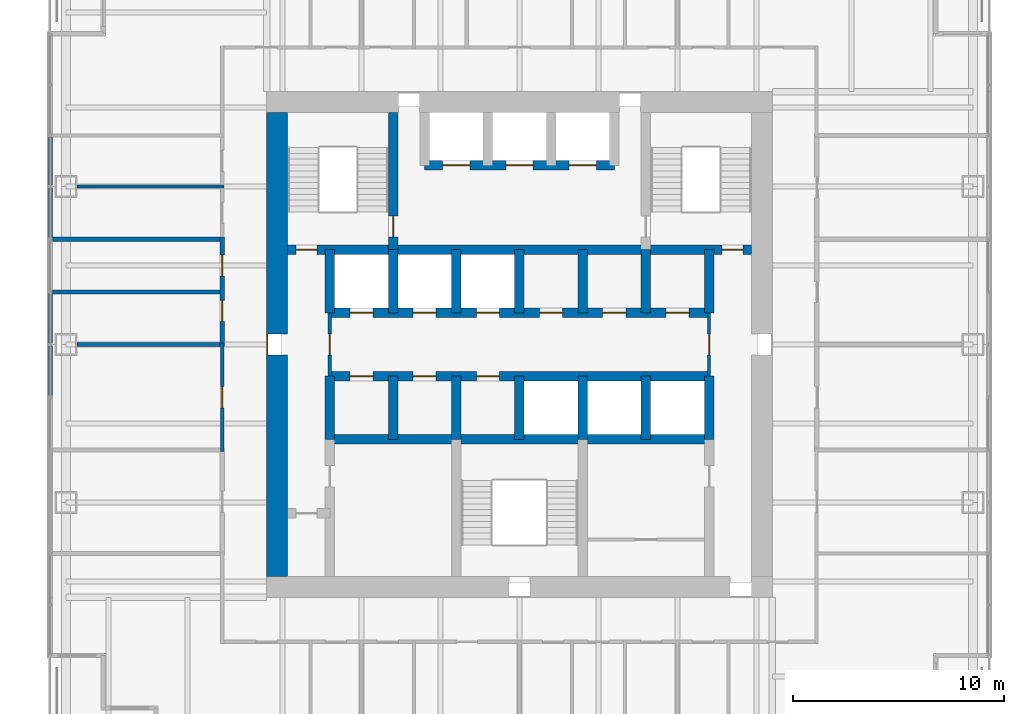
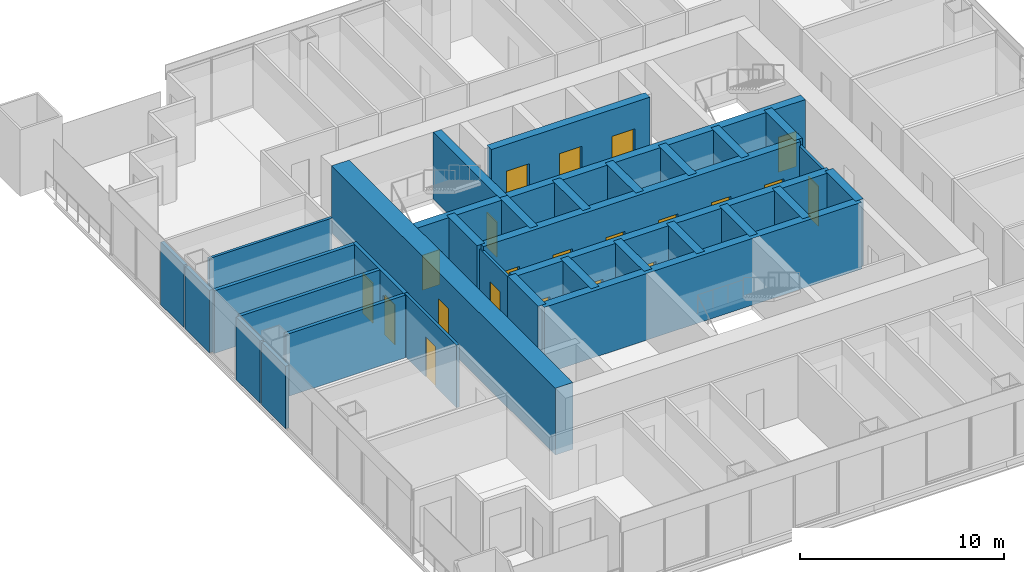
# One storey, part 9 of 14: 33 walls, 21 doors, 21 openings.
"""IFC4 building model written with IfcOpenShell, lengths in metres."""

from ifc_helpers import new_model, si_unit, direction, frame, frame_2d, origin, place, context, subcontext, project, spatial, rectangle, extrude, material, layer, layer_set, type_object, element, fill, save


model = new_model("IFC4")

# Units and contexts
model_context = context("Model", 3, precision=1e-05, world=origin(), true_north=direction((0.0, 1.0)))
body_context = subcontext(model_context, "Body", "Model", "MODEL_VIEW")
ifc_project = project(units=[si_unit("LENGTHUNIT", "METRE"), si_unit("AREAUNIT", "SQUARE_METRE"), si_unit("VOLUMEUNIT", "CUBIC_METRE"), si_unit("PLANEANGLEUNIT", "RADIAN"), si_unit("MASSUNIT", "GRAM", prefix="KILO")], contexts=[model_context])

# Site, building, storey
site_placement = place(None, origin())
site = spatial("IfcSite", under=ifc_project, at=site_placement, CompositionType="ELEMENT")
building_placement = place(site_placement, origin())
building = spatial("IfcBuilding", under=site, at=building_placement, Name="Tarangal Relay Tower", CompositionType="ELEMENT")
storey_placement = place(building_placement, frame((0.0, 0.0, 249.89990234375)))
storey = spatial("IfcBuildingStorey", under=building, at=storey_placement, Name="L54", CompositionType="ELEMENT", Elevation=249.89990234375)

# Walls
ifc_material_1 = material(Name="Two layers gypsum board each side on twin steel studs, mineral wool", Category="steel")
ifc_layer_1 = layer(ifc_material_1, 0.199951171875)
ifc_layer_set_1 = layer_set([ifc_layer_1], Name="Acoustic partition 200")
wall_type_1 = type_object("IfcWallType", Name="Acoustic partition 200", PredefinedType="PARTITIONING", material=ifc_layer_set_1)
wall_1_placement = place(storey_placement, frame((-20.989990234375, 0.0, 0.0), z_axis=(0.0, 0.0, 1.0), x_axis=(1.0, 0.0, 0.0)))
element("IfcWall", 1, at=wall_1_placement, inside=storey, type_object=wall_type_1, Name="Partition PT2 L54", PredefinedType="PARTITIONING", context=body_context, shape_type="SweptSolid", body=[
    extrude(rectangle(XDim=6.989990234375, YDim=0.199951171875, at=frame_2d((3.4951171875, 0.0))), origin(), (0.0, 0.0, 1.0), 3.75),
])
for number, where, z_axis, x_axis, name in (
    (2, (-22.14990234375, 2.5, 0.0), (0.0, 0.0, 1.0), (1.0, 0.0, 0.0), "Partition PT2 L54"),
    (3, (-22.14990234375, 5.0, 0.0), (0.0, 0.0, 1.0), (1.0, 0.0, 0.0), "Partition PT2 L54"),
):
    element("IfcWall", number, at=place(storey_placement, frame(where, z_axis=z_axis, x_axis=x_axis)), inside=storey, type_object=wall_type_1, Name=name, PredefinedType="PARTITIONING", context=body_context, shape_type="SweptSolid", body=[
        extrude(rectangle(XDim=8.14990234375, YDim=0.199951171875, at=frame_2d((4.074951171875, 0.0))), origin(), (0.0, 0.0, 1.0), 3.75),
    ])

# Wall, openings, doors
wall_2_placement = place(storey_placement, frame((-14.10009765625, -0.10009765625, 0.0), z_axis=(0.0, 0.0, 1.0), x_axis=(0.0, 1.0, 0.0)))
wall_2 = element("IfcWall", 4, at=wall_2_placement, inside=storey, type_object=wall_type_1, Name="Partition PT2 L54", PredefinedType="PARTITIONING", context=body_context, shape_type="SweptSolid", body=[
    extrude(rectangle(XDim=5.2001953125, YDim=0.199951171875, at=frame_2d((2.60009765625, 0.0))), origin(), (0.0, 0.0, 1.0), 3.75),
])
opening_1_placement = place(wall_2_placement, frame((1.199951171875, 0.0, 0.0)))
opening_1 = element("IfcOpeningElement", 5, at=opening_1_placement, cuts=wall_2, Name="Opening SD1", PredefinedType="OPENING", context=body_context, shape_type="SweptSolid", body=[
    extrude(rectangle(XDim=1.0, YDim=2.39990234375, at=frame_2d((0.5, 1.199951171875))), frame((0.0, 0.10986328125, 0.0), z_axis=(0.0, -1.0, 0.0), x_axis=(1.0, 0.0, 0.0)), (0.0, 0.0, 1.0), 0.219970703125),
])
opening_2_placement = place(wall_2_placement, frame((3.35009765625, 0.0, 0.0)))
opening_2 = element("IfcOpeningElement", 6, at=opening_2_placement, cuts=wall_2, Name="Opening SD1", PredefinedType="OPENING", context=body_context, shape_type="SweptSolid", body=[
    extrude(rectangle(XDim=1.0, YDim=2.39990234375, at=frame_2d((0.5, 1.199951171875))), frame((0.0, 0.10986328125, 0.0), z_axis=(0.0, -1.0, 0.0), x_axis=(1.0, 0.0, 0.0)), (0.0, 0.0, 1.0), 0.219970703125),
])
ifc_material_2 = material(Name="Steel door with hardwood frame", Category="steel")
door_type_1 = type_object("IfcDoorType", Name="Suite entrance door 1000 x 2400", OperationType="SINGLE_SWING_RIGHT", PredefinedType="DOOR", material=ifc_material_2)
door_1_placement = place(opening_1_placement, origin())
door_1 = element("IfcDoor", 7, at=door_1_placement, inside=storey, type_object=door_type_1, Name="Door SD1 to wellness room L54-22", OperationType="SINGLE_SWING_RIGHT", OverallHeight=2.39990234375, OverallWidth=1.0, PredefinedType="DOOR", context=body_context, shape_type="SweptSolid", body=[
    extrude(rectangle(XDim=1.0, YDim=2.39990234375, at=frame_2d((0.5, 1.199951171875))), frame((0.0, 0.02490234375, 0.0), z_axis=(0.0, -1.0, 0.0), x_axis=(1.0, 0.0, 0.0)), (0.0, 0.0, 1.0), 0.050048828125),
])
fill(opening_1, door_1)
door_2_placement = place(opening_2_placement, origin())
door_2 = element("IfcDoor", 8, at=door_2_placement, inside=storey, type_object=door_type_1, Name="Door SD1 to quiet room L54-23", OperationType="SINGLE_SWING_RIGHT", OverallHeight=2.39990234375, OverallWidth=1.0, PredefinedType="DOOR", context=body_context, shape_type="SweptSolid", body=[
    extrude(rectangle(XDim=1.0, YDim=2.39990234375, at=frame_2d((0.5, 1.199951171875))), frame((0.0, 0.02490234375, 0.0), z_axis=(0.0, -1.0, 0.0), x_axis=(1.0, 0.0, 0.0)), (0.0, 0.0, 1.0), 0.050048828125),
])
fill(opening_2, door_2)

ifc_material_3 = material(Name="Concrete fc' 60 MPa", Category="concrete")
ifc_layer_2 = layer(ifc_material_3, 0.449951171875)
ifc_layer_set_2 = layer_set([ifc_layer_2], Name="Core inner wall 450")
wall_type_2 = type_object("IfcWallType", Name="Core inner wall 450", PredefinedType="SHEAR", material=ifc_layer_set_2)
wall_3_placement = place(storey_placement, frame((-11.0, 4.5, 0.0), z_axis=(0.0, 0.0, 1.0), x_axis=(1.0, 0.0, 0.0)))
wall_3 = element("IfcWall", 9, at=wall_3_placement, inside=storey, type_object=wall_type_2, Name="Core wall Y45 L54", PredefinedType="SHEAR", context=body_context, shape_type="SweptSolid", body=[
    extrude(rectangle(XDim=22.0, YDim=0.449951171875, at=frame_2d((11.0, 0.0))), origin(), (0.0, 0.0, 1.0), 4.0),
])
opening_3_placement = place(wall_3_placement, frame((0.39990234375, 0.0, 0.0)))
opening_3 = element("IfcOpeningElement", 10, at=opening_3_placement, cuts=wall_3, Name="Opening FD1", PredefinedType="OPENING", context=body_context, shape_type="SweptSolid", body=[
    extrude(rectangle(XDim=1.0, YDim=2.10009765625, at=frame_2d((0.5, 1.050048828125))), frame((0.0, 0.23486328125, 0.0), z_axis=(0.0, -1.0, 0.0), x_axis=(1.0, 0.0, 0.0)), (0.0, 0.0, 1.0), 0.469970703125),
])
opening_4_placement = place(wall_3_placement, frame((20.60009765625, 0.0, 0.0)))
opening_4 = element("IfcOpeningElement", 11, at=opening_4_placement, cuts=wall_3, Name="Opening FD1", PredefinedType="OPENING", context=body_context, shape_type="SweptSolid", body=[
    extrude(rectangle(XDim=1.0, YDim=2.10009765625, at=frame_2d((0.5, 1.050048828125))), frame((0.0, 0.23486328125, 0.0), z_axis=(0.0, -1.0, 0.0), x_axis=(1.0, 0.0, 0.0)), (0.0, 0.0, 1.0), 0.469970703125),
])
door_type_2 = type_object("IfcDoorType", Name="Fire door 1000 x 2100", OperationType="SINGLE_SWING_LEFT", PredefinedType="DOOR", material=ifc_material_2)
door_3_placement = place(opening_3_placement, origin())
door_3 = element("IfcDoor", 12, at=door_3_placement, inside=storey, type_object=door_type_2, Name="Stair ST-A door from corridor L54", OperationType="SINGLE_SWING_LEFT", OverallHeight=2.10009765625, OverallWidth=1.0, PredefinedType="DOOR", context=body_context, shape_type="SweptSolid", body=[
    extrude(rectangle(XDim=1.0, YDim=2.10009765625, at=frame_2d((0.5, 1.050048828125))), frame((0.0, 0.02490234375, 0.0), z_axis=(0.0, -1.0, 0.0), x_axis=(1.0, 0.0, 0.0)), (0.0, 0.0, 1.0), 0.050048828125),
])
fill(opening_3, door_3)
door_4_placement = place(opening_4_placement, origin())
door_4 = element("IfcDoor", 13, at=door_4_placement, inside=storey, type_object=door_type_2, Name="Stair ST-B door from corridor L54", OperationType="SINGLE_SWING_LEFT", OverallHeight=2.10009765625, OverallWidth=1.0, PredefinedType="DOOR", context=body_context, shape_type="SweptSolid", body=[
    extrude(rectangle(XDim=1.0, YDim=2.10009765625, at=frame_2d((0.5, 1.050048828125))), frame((0.0, 0.02490234375, 0.0), z_axis=(0.0, -1.0, 0.0), x_axis=(1.0, 0.0, 0.0)), (0.0, 0.0, 1.0), 0.050048828125),
])
fill(opening_4, door_4)

wall_4_placement = place(storey_placement, frame((-9.0, 1.5, 0.0), z_axis=(0.0, 0.0, 1.0), x_axis=(1.0, 0.0, 0.0)))
wall_4 = element("IfcWall", 14, at=wall_4_placement, inside=storey, type_object=wall_type_2, Name="Core wall Y15 L54", PredefinedType="SHEAR", context=body_context, shape_type="SweptSolid", body=[
    extrude(rectangle(XDim=18.0, YDim=0.449951171875, at=frame_2d((9.0, 0.0))), origin(), (0.0, 0.0, 1.0), 4.0),
])
opening_5_placement = place(wall_4_placement, frame((0.949951171875, 0.0, 0.0)))
opening_5 = element("IfcOpeningElement", 15, at=opening_5_placement, cuts=wall_4, Name="Opening LD1", PredefinedType="OPENING", context=body_context, shape_type="SweptSolid", body=[
    extrude(rectangle(XDim=1.10009765625, YDim=2.10009765625, at=frame_2d((0.550048828125, 1.050048828125))), frame((0.0, 0.23486328125, 0.0), z_axis=(0.0, -1.0, 0.0), x_axis=(1.0, 0.0, 0.0)), (0.0, 0.0, 1.0), 0.469970703125),
])
opening_6_placement = place(wall_4_placement, frame((3.949951171875, 0.0, 0.0)))
opening_6 = element("IfcOpeningElement", 16, at=opening_6_placement, cuts=wall_4, Name="Opening LD1", PredefinedType="OPENING", context=body_context, shape_type="SweptSolid", body=[
    extrude(rectangle(XDim=1.10009765625, YDim=2.10009765625, at=frame_2d((0.550048828125, 1.050048828125))), frame((0.0, 0.23486328125, 0.0), z_axis=(0.0, -1.0, 0.0), x_axis=(1.0, 0.0, 0.0)), (0.0, 0.0, 1.0), 0.469970703125),
])
opening_7_placement = place(wall_4_placement, frame((6.949951171875, 0.0, 0.0)))
opening_7 = element("IfcOpeningElement", 17, at=opening_7_placement, cuts=wall_4, Name="Opening LD1", PredefinedType="OPENING", context=body_context, shape_type="SweptSolid", body=[
    extrude(rectangle(XDim=1.10009765625, YDim=2.10009765625, at=frame_2d((0.550048828125, 1.050048828125))), frame((0.0, 0.23486328125, 0.0), z_axis=(0.0, -1.0, 0.0), x_axis=(1.0, 0.0, 0.0)), (0.0, 0.0, 1.0), 0.469970703125),
])
opening_8_placement = place(wall_4_placement, frame((9.949951171875, 0.0, 0.0)))
opening_8 = element("IfcOpeningElement", 18, at=opening_8_placement, cuts=wall_4, Name="Opening D4", PredefinedType="OPENING", context=body_context, shape_type="SweptSolid", body=[
    extrude(rectangle(XDim=1.10009765625, YDim=2.10009765625, at=frame_2d((0.550048828125, 1.050048828125))), frame((0.0, 0.23486328125, 0.0), z_axis=(0.0, -1.0, 0.0), x_axis=(1.0, 0.0, 0.0)), (0.0, 0.0, 1.0), 0.469970703125),
])
opening_9_placement = place(wall_4_placement, frame((12.949951171875, 0.0, 0.0)))
opening_9 = element("IfcOpeningElement", 19, at=opening_9_placement, cuts=wall_4, Name="Opening D4", PredefinedType="OPENING", context=body_context, shape_type="SweptSolid", body=[
    extrude(rectangle(XDim=1.10009765625, YDim=2.10009765625, at=frame_2d((0.550048828125, 1.050048828125))), frame((0.0, 0.23486328125, 0.0), z_axis=(0.0, -1.0, 0.0), x_axis=(1.0, 0.0, 0.0)), (0.0, 0.0, 1.0), 0.469970703125),
])
opening_10_placement = place(wall_4_placement, frame((15.949951171875, 0.0, 0.0)))
opening_10 = element("IfcOpeningElement", 20, at=opening_10_placement, cuts=wall_4, Name="Opening D4", PredefinedType="OPENING", context=body_context, shape_type="SweptSolid", body=[
    extrude(rectangle(XDim=1.10009765625, YDim=2.10009765625, at=frame_2d((0.550048828125, 1.050048828125))), frame((0.0, 0.23486328125, 0.0), z_axis=(0.0, -1.0, 0.0), x_axis=(1.0, 0.0, 0.0)), (0.0, 0.0, 1.0), 0.469970703125),
])
door_type_3 = type_object("IfcDoorType", Name="Core room door 1100 x 2100", OperationType="SINGLE_SWING_RIGHT", PredefinedType="DOOR", material=ifc_material_2)
door_5_placement = place(opening_8_placement, origin())
door_5 = element("IfcDoor", 21, at=door_5_placement, inside=storey, type_object=door_type_3, Name="Door D4 to cleaner's store L54-T1", OperationType="SINGLE_SWING_RIGHT", OverallHeight=2.10009765625, OverallWidth=1.10009765625, PredefinedType="DOOR", context=body_context, shape_type="SweptSolid", body=[
    extrude(rectangle(XDim=1.10009765625, YDim=2.10009765625, at=frame_2d((0.550048828125, 1.050048828125))), frame((0.0, 0.02490234375, 0.0), z_axis=(0.0, -1.0, 0.0), x_axis=(1.0, 0.0, 0.0)), (0.0, 0.0, 1.0), 0.050048828125),
])
fill(opening_8, door_5)
door_6_placement = place(opening_9_placement, origin())
door_6 = element("IfcDoor", 22, at=door_6_placement, inside=storey, type_object=door_type_3, Name="Door D4 to staff wc L54-T2", OperationType="SINGLE_SWING_RIGHT", OverallHeight=2.10009765625, OverallWidth=1.10009765625, PredefinedType="DOOR", context=body_context, shape_type="SweptSolid", body=[
    extrude(rectangle(XDim=1.10009765625, YDim=2.10009765625, at=frame_2d((0.550048828125, 1.050048828125))), frame((0.0, 0.02490234375, 0.0), z_axis=(0.0, -1.0, 0.0), x_axis=(1.0, 0.0, 0.0)), (0.0, 0.0, 1.0), 0.050048828125),
])
fill(opening_9, door_6)
door_7_placement = place(opening_10_placement, origin())
door_7 = element("IfcDoor", 23, at=door_7_placement, inside=storey, type_object=door_type_3, Name="Door D4 to staff pantry L54-T3", OperationType="SINGLE_SWING_RIGHT", OverallHeight=2.10009765625, OverallWidth=1.10009765625, PredefinedType="DOOR", context=body_context, shape_type="SweptSolid", body=[
    extrude(rectangle(XDim=1.10009765625, YDim=2.10009765625, at=frame_2d((0.550048828125, 1.050048828125))), frame((0.0, 0.02490234375, 0.0), z_axis=(0.0, -1.0, 0.0), x_axis=(1.0, 0.0, 0.0)), (0.0, 0.0, 1.0), 0.050048828125),
])
fill(opening_10, door_7)
door_type_4 = type_object("IfcDoorType", Name="Lift landing door 1100 x 2100", OperationType="SLIDING_TO_LEFT", PredefinedType="DOOR", material=ifc_material_2)
door_8_placement = place(opening_5_placement, origin())
door_8 = element("IfcDoor", 24, at=door_8_placement, inside=storey, type_object=door_type_4, Name="Lift OL1 landing door L54", OperationType="SLIDING_TO_LEFT", OverallHeight=2.10009765625, OverallWidth=1.10009765625, PredefinedType="DOOR", context=body_context, shape_type="SweptSolid", body=[
    extrude(rectangle(XDim=1.10009765625, YDim=2.10009765625, at=frame_2d((0.550048828125, 1.050048828125))), frame((0.0, 0.02490234375, 0.0), z_axis=(0.0, -1.0, 0.0), x_axis=(1.0, 0.0, 0.0)), (0.0, 0.0, 1.0), 0.050048828125),
])
fill(opening_5, door_8)
door_9_placement = place(opening_6_placement, origin())
door_9 = element("IfcDoor", 25, at=door_9_placement, inside=storey, type_object=door_type_4, Name="Lift OL2 landing door L54", OperationType="SLIDING_TO_LEFT", OverallHeight=2.10009765625, OverallWidth=1.10009765625, PredefinedType="DOOR", context=body_context, shape_type="SweptSolid", body=[
    extrude(rectangle(XDim=1.10009765625, YDim=2.10009765625, at=frame_2d((0.550048828125, 1.050048828125))), frame((0.0, 0.02490234375, 0.0), z_axis=(0.0, -1.0, 0.0), x_axis=(1.0, 0.0, 0.0)), (0.0, 0.0, 1.0), 0.050048828125),
])
fill(opening_6, door_9)
door_10_placement = place(opening_7_placement, origin())
door_10 = element("IfcDoor", 26, at=door_10_placement, inside=storey, type_object=door_type_4, Name="Lift OL3 landing door L54", OperationType="SLIDING_TO_LEFT", OverallHeight=2.10009765625, OverallWidth=1.10009765625, PredefinedType="DOOR", context=body_context, shape_type="SweptSolid", body=[
    extrude(rectangle(XDim=1.10009765625, YDim=2.10009765625, at=frame_2d((0.550048828125, 1.050048828125))), frame((0.0, 0.02490234375, 0.0), z_axis=(0.0, -1.0, 0.0), x_axis=(1.0, 0.0, 0.0)), (0.0, 0.0, 1.0), 0.050048828125),
])
fill(opening_7, door_10)

wall_5_placement = place(storey_placement, frame((-9.0, -1.5, 0.0), z_axis=(0.0, 0.0, 1.0), x_axis=(1.0, 0.0, 0.0)))
wall_5 = element("IfcWall", 27, at=wall_5_placement, inside=storey, type_object=wall_type_2, Name="Core wall YM15 L54", PredefinedType="SHEAR", context=body_context, shape_type="SweptSolid", body=[
    extrude(rectangle(XDim=18.0, YDim=0.449951171875, at=frame_2d((9.0, 0.0))), origin(), (0.0, 0.0, 1.0), 4.0),
])
opening_11_placement = place(wall_5_placement, frame((0.949951171875, 0.0, 0.0)))
opening_11 = element("IfcOpeningElement", 28, at=opening_11_placement, cuts=wall_5, Name="Opening D4", PredefinedType="OPENING", context=body_context, shape_type="SweptSolid", body=[
    extrude(rectangle(XDim=1.10009765625, YDim=2.10009765625, at=frame_2d((0.550048828125, 1.050048828125))), frame((0.0, 0.23486328125, 0.0), z_axis=(0.0, -1.0, 0.0), x_axis=(1.0, 0.0, 0.0)), (0.0, 0.0, 1.0), 0.469970703125),
])
opening_12_placement = place(wall_5_placement, frame((3.949951171875, 0.0, 0.0)))
opening_12 = element("IfcOpeningElement", 29, at=opening_12_placement, cuts=wall_5, Name="Opening D4", PredefinedType="OPENING", context=body_context, shape_type="SweptSolid", body=[
    extrude(rectangle(XDim=1.10009765625, YDim=2.10009765625, at=frame_2d((0.550048828125, 1.050048828125))), frame((0.0, 0.23486328125, 0.0), z_axis=(0.0, -1.0, 0.0), x_axis=(1.0, 0.0, 0.0)), (0.0, 0.0, 1.0), 0.469970703125),
])
opening_13_placement = place(wall_5_placement, frame((6.949951171875, 0.0, 0.0)))
opening_13 = element("IfcOpeningElement", 30, at=opening_13_placement, cuts=wall_5, Name="Opening D4", PredefinedType="OPENING", context=body_context, shape_type="SweptSolid", body=[
    extrude(rectangle(XDim=1.10009765625, YDim=2.10009765625, at=frame_2d((0.550048828125, 1.050048828125))), frame((0.0, 0.23486328125, 0.0), z_axis=(0.0, -1.0, 0.0), x_axis=(1.0, 0.0, 0.0)), (0.0, 0.0, 1.0), 0.469970703125),
])
door_11_placement = place(opening_11_placement, origin())
door_11 = element("IfcDoor", 31, at=door_11_placement, inside=storey, type_object=door_type_3, Name="Door D4 to it room L54-S1", OperationType="SINGLE_SWING_RIGHT", OverallHeight=2.10009765625, OverallWidth=1.10009765625, PredefinedType="DOOR", context=body_context, shape_type="SweptSolid", body=[
    extrude(rectangle(XDim=1.10009765625, YDim=2.10009765625, at=frame_2d((0.550048828125, 1.050048828125))), frame((0.0, 0.02490234375, 0.0), z_axis=(0.0, -1.0, 0.0), x_axis=(1.0, 0.0, 0.0)), (0.0, 0.0, 1.0), 0.050048828125),
])
fill(opening_11, door_11)
door_12_placement = place(opening_12_placement, origin())
door_12 = element("IfcDoor", 32, at=door_12_placement, inside=storey, type_object=door_type_3, Name="Door D4 to cleaner's store L54-S2", OperationType="SINGLE_SWING_RIGHT", OverallHeight=2.10009765625, OverallWidth=1.10009765625, PredefinedType="DOOR", context=body_context, shape_type="SweptSolid", body=[
    extrude(rectangle(XDim=1.10009765625, YDim=2.10009765625, at=frame_2d((0.550048828125, 1.050048828125))), frame((0.0, 0.02490234375, 0.0), z_axis=(0.0, -1.0, 0.0), x_axis=(1.0, 0.0, 0.0)), (0.0, 0.0, 1.0), 0.050048828125),
])
fill(opening_12, door_12)
door_13_placement = place(opening_13_placement, origin())
door_13 = element("IfcDoor", 33, at=door_13_placement, inside=storey, type_object=door_type_3, Name="Door D4 to staff wc L54-S3", OperationType="SINGLE_SWING_RIGHT", OverallHeight=2.10009765625, OverallWidth=1.10009765625, PredefinedType="DOOR", context=body_context, shape_type="SweptSolid", body=[
    extrude(rectangle(XDim=1.10009765625, YDim=2.10009765625, at=frame_2d((0.550048828125, 1.050048828125))), frame((0.0, 0.02490234375, 0.0), z_axis=(0.0, -1.0, 0.0), x_axis=(1.0, 0.0, 0.0)), (0.0, 0.0, 1.0), 0.050048828125),
])
fill(opening_13, door_13)

# Wall
wall_6_placement = place(storey_placement, frame((-9.0, -4.5, 0.0), z_axis=(0.0, 0.0, 1.0), x_axis=(1.0, 0.0, 0.0)))
element("IfcWall", 34, at=wall_6_placement, inside=storey, type_object=wall_type_2, Name="Core wall YM45 L54", PredefinedType="SHEAR", context=body_context, shape_type="SweptSolid", body=[
    extrude(rectangle(XDim=18.0, YDim=0.449951171875, at=frame_2d((9.0, 0.0))), origin(), (0.0, 0.0, 1.0), 4.0),
])

# Wall, openings, doors
wall_7_placement = place(storey_placement, frame((-4.5, 8.5, 0.0), z_axis=(0.0, 0.0, 1.0), x_axis=(1.0, 0.0, 0.0)))
wall_7 = element("IfcWall", 35, at=wall_7_placement, inside=storey, type_object=wall_type_2, Name="Core wall Y85 L54", PredefinedType="SHEAR", context=body_context, shape_type="SweptSolid", body=[
    extrude(rectangle(XDim=9.0, YDim=0.449951171875, at=frame_2d((4.5, 0.0))), origin(), (0.0, 0.0, 1.0), 4.0),
])
opening_14_placement = place(wall_7_placement, frame((0.85009765625, 0.0, 0.0)))
opening_14 = element("IfcOpeningElement", 36, at=opening_14_placement, cuts=wall_7, Name="Opening LD2", PredefinedType="OPENING", context=body_context, shape_type="SweptSolid", body=[
    extrude(rectangle(XDim=1.300048828125, YDim=2.39990234375, at=frame_2d((0.64990234375, 1.199951171875))), frame((0.0, 0.23486328125, 0.0), z_axis=(0.0, -1.0, 0.0), x_axis=(1.0, 0.0, 0.0)), (0.0, 0.0, 1.0), 0.469970703125),
])
opening_15_placement = place(wall_7_placement, frame((6.85009765625, 0.0, 0.0)))
opening_15 = element("IfcOpeningElement", 37, at=opening_15_placement, cuts=wall_7, Name="Opening LD2", PredefinedType="OPENING", context=body_context, shape_type="SweptSolid", body=[
    extrude(rectangle(XDim=1.300048828125, YDim=2.39990234375, at=frame_2d((0.64990234375, 1.199951171875))), frame((0.0, 0.23486328125, 0.0), z_axis=(0.0, -1.0, 0.0), x_axis=(1.0, 0.0, 0.0)), (0.0, 0.0, 1.0), 0.469970703125),
])
opening_16_placement = place(wall_7_placement, frame((3.85009765625, 0.0, 0.0)))
opening_16 = element("IfcOpeningElement", 38, at=opening_16_placement, cuts=wall_7, Name="Opening LD2", PredefinedType="OPENING", context=body_context, shape_type="SweptSolid", body=[
    extrude(rectangle(XDim=1.300048828125, YDim=2.39990234375, at=frame_2d((0.64990234375, 1.199951171875))), frame((0.0, 0.23486328125, 0.0), z_axis=(0.0, -1.0, 0.0), x_axis=(1.0, 0.0, 0.0)), (0.0, 0.0, 1.0), 0.469970703125),
])
door_type_5 = type_object("IfcDoorType", Name="Lift landing door 1300 x 2400", OperationType="SLIDING_TO_LEFT", PredefinedType="DOOR", material=ifc_material_2)
door_14_placement = place(opening_14_placement, origin())
door_14 = element("IfcDoor", 39, at=door_14_placement, inside=storey, type_object=door_type_5, Name="Lift FF1 landing door L54", OperationType="SLIDING_TO_LEFT", OverallHeight=2.39990234375, OverallWidth=1.300048828125, PredefinedType="DOOR", context=body_context, shape_type="SweptSolid", body=[
    extrude(rectangle(XDim=1.300048828125, YDim=2.39990234375, at=frame_2d((0.64990234375, 1.199951171875))), frame((0.0, 0.02490234375, 0.0), z_axis=(0.0, -1.0, 0.0), x_axis=(1.0, 0.0, 0.0)), (0.0, 0.0, 1.0), 0.050048828125),
])
fill(opening_14, door_14)
door_15_placement = place(opening_15_placement, origin())
door_15 = element("IfcDoor", 40, at=door_15_placement, inside=storey, type_object=door_type_5, Name="Lift FF2 landing door L54", OperationType="SLIDING_TO_LEFT", OverallHeight=2.39990234375, OverallWidth=1.300048828125, PredefinedType="DOOR", context=body_context, shape_type="SweptSolid", body=[
    extrude(rectangle(XDim=1.300048828125, YDim=2.39990234375, at=frame_2d((0.64990234375, 1.199951171875))), frame((0.0, 0.02490234375, 0.0), z_axis=(0.0, -1.0, 0.0), x_axis=(1.0, 0.0, 0.0)), (0.0, 0.0, 1.0), 0.050048828125),
])
fill(opening_15, door_15)
door_16_placement = place(opening_16_placement, origin())
door_16 = element("IfcDoor", 41, at=door_16_placement, inside=storey, type_object=door_type_5, Name="Lift SV1 landing door L54", OperationType="SLIDING_TO_LEFT", OverallHeight=2.39990234375, OverallWidth=1.300048828125, PredefinedType="DOOR", context=body_context, shape_type="SweptSolid", body=[
    extrude(rectangle(XDim=1.300048828125, YDim=2.39990234375, at=frame_2d((0.64990234375, 1.199951171875))), frame((0.0, 0.02490234375, 0.0), z_axis=(0.0, -1.0, 0.0), x_axis=(1.0, 0.0, 0.0)), (0.0, 0.0, 1.0), 0.050048828125),
])
fill(opening_16, door_16)

# Walls
for number, where, z_axis, x_axis, name in (
    (42, (-9.0, 1.5, 0.0), (0.0, 0.0, 1.0), (0.0, 1.0, 0.0), "Core wall XM9N L54"),
    (43, (9.0, 1.5, 0.0), (0.0, 0.0, 1.0), (0.0, 1.0, 0.0), "Core wall X9N L54"),
    (44, (-9.0, -4.5, 0.0), (0.0, 0.0, 1.0), (0.0, 1.0, 0.0), "Core wall XM9S L54"),
    (45, (9.0, -4.5, 0.0), (0.0, 0.0, 1.0), (0.0, 1.0, 0.0), "Core wall X9S L54"),
    (46, (-6.0, 1.5, 0.0), (0.0, 0.0, 1.0), (0.0, 1.0, 0.0), "Core wall XM6N L54"),
    (47, (-3.0, 1.5, 0.0), (0.0, 0.0, 1.0), (0.0, 1.0, 0.0), "Core wall XM3N L54"),
    (48, (0.0, 1.5, 0.0), (0.0, 0.0, 1.0), (0.0, 1.0, 0.0), "Core wall X0N L54"),
    (49, (3.0, 1.5, 0.0), (0.0, 0.0, 1.0), (0.0, 1.0, 0.0), "Core wall X3N L54"),
    (50, (6.0, 1.5, 0.0), (0.0, 0.0, 1.0), (0.0, 1.0, 0.0), "Core wall X6N L54"),
    (51, (-6.0, -4.5, 0.0), (0.0, 0.0, 1.0), (0.0, 1.0, 0.0), "Core wall XM6S L54"),
    (52, (-3.0, -4.5, 0.0), (0.0, 0.0, 1.0), (0.0, 1.0, 0.0), "Core wall XM3S L54"),
    (53, (0.0, -4.5, 0.0), (0.0, 0.0, 1.0), (0.0, 1.0, 0.0), "Core wall X0S L54"),
    (54, (3.0, -4.5, 0.0), (0.0, 0.0, 1.0), (0.0, 1.0, 0.0), "Core wall X3S L54"),
    (55, (6.0, -4.5, 0.0), (0.0, 0.0, 1.0), (0.0, 1.0, 0.0), "Core wall X6S L54"),
):
    element("IfcWall", number, at=place(storey_placement, frame(where, z_axis=z_axis, x_axis=x_axis)), inside=storey, type_object=wall_type_2, Name=name, PredefinedType="SHEAR", context=body_context, shape_type="SweptSolid", body=[
        extrude(rectangle(XDim=3.0, YDim=0.449951171875, at=frame_2d((1.5, 0.0))), origin(), (0.0, 0.0, 1.0), 4.0),
    ])

# Wall, opening, door
wall_8_placement = place(storey_placement, frame((-6.0, 4.5, 0.0), z_axis=(0.0, 0.0, 1.0), x_axis=(0.0, 1.0, 0.0)))
wall_8 = element("IfcWall", 56, at=wall_8_placement, inside=storey, type_object=wall_type_2, Name="Core wall XM6 L54", PredefinedType="SHEAR", context=body_context, shape_type="SweptSolid", body=[
    extrude(rectangle(XDim=6.5, YDim=0.449951171875, at=frame_2d((3.25, 0.0))), origin(), (0.0, 0.0, 1.0), 4.0),
])
opening_17_placement = place(wall_8_placement, frame((0.60009765625, 0.0, 0.0)))
opening_17 = element("IfcOpeningElement", 57, at=opening_17_placement, cuts=wall_8, Name="Opening FD1", PredefinedType="OPENING", context=body_context, shape_type="SweptSolid", body=[
    extrude(rectangle(XDim=1.0, YDim=2.10009765625, at=frame_2d((0.5, 1.050048828125))), frame((0.0, 0.23486328125, 0.0), z_axis=(0.0, -1.0, 0.0), x_axis=(1.0, 0.0, 0.0)), (0.0, 0.0, 1.0), 0.469970703125),
])
door_17_placement = place(opening_17_placement, origin())
door_17 = element("IfcDoor", 58, at=door_17_placement, inside=storey, type_object=door_type_2, Name="Stair ST-A door from fire-fighting lobby L54", OperationType="SINGLE_SWING_LEFT", OverallHeight=2.10009765625, OverallWidth=1.0, PredefinedType="DOOR", context=body_context, shape_type="SweptSolid", body=[
    extrude(rectangle(XDim=1.0, YDim=2.10009765625, at=frame_2d((0.5, 1.050048828125))), frame((0.0, 0.02490234375, 0.0), z_axis=(0.0, -1.0, 0.0), x_axis=(1.0, 0.0, 0.0)), (0.0, 0.0, 1.0), 0.050048828125),
])
fill(opening_17, door_17)

ifc_layer_3 = layer(ifc_material_3, 1.0)
ifc_layer_set_3 = layer_set([ifc_layer_3], Name="Core wall 1000")
wall_type_3 = type_object("IfcWallType", Name="Core wall 1000", PredefinedType="SHEAR", material=ifc_layer_set_3)
wall_9_placement = place(storey_placement, frame((-11.5, -11.0, 0.0), z_axis=(0.0, 0.0, 1.0), x_axis=(0.0, 1.0, 0.0)))
wall_9 = element("IfcWall", 59, at=wall_9_placement, inside=storey, type_object=wall_type_3, Name="Core wall W L54", PredefinedType="SHEAR", context=body_context, shape_type="SweptSolid", body=[
    extrude(rectangle(XDim=22.0, YDim=1.0, at=frame_2d((11.0, 0.0))), origin(), (0.0, 0.0, 1.0), 4.0),
])
opening_18_placement = place(wall_9_placement, frame((10.5, 0.0, 0.0)))
opening_18 = element("IfcOpeningElement", 60, at=opening_18_placement, cuts=wall_9, Name="Opening FD3", PredefinedType="OPENING", context=body_context, shape_type="SweptSolid", body=[
    extrude(rectangle(XDim=1.0, YDim=2.39990234375, at=frame_2d((0.5, 1.199951171875))), frame((0.0, 0.510009765625, 0.0), z_axis=(0.0, -1.0, 0.0), x_axis=(1.0, 0.0, 0.0)), (0.0, 0.0, 1.0), 1.02001953125),
])
door_type_6 = type_object("IfcDoorType", Name="Fire door 1000 x 2400 core entry", OperationType="SINGLE_SWING_RIGHT", PredefinedType="DOOR", material=ifc_material_2)
door_18_placement = place(opening_18_placement, origin())
door_18 = element("IfcDoor", 61, at=door_18_placement, inside=storey, type_object=door_type_6, Name="Core entry door west L54", OperationType="SINGLE_SWING_RIGHT", OverallHeight=2.39990234375, OverallWidth=1.0, PredefinedType="DOOR", context=body_context, shape_type="SweptSolid", body=[
    extrude(rectangle(XDim=1.0, YDim=2.39990234375, at=frame_2d((0.5, 1.199951171875))), frame((0.0, 0.48486328125, 0.0), z_axis=(0.0, -1.0, 0.0), x_axis=(1.0, 0.0, 0.0)), (0.0, 0.0, 1.0), 0.050048828125),
])
fill(opening_18, door_18)

# Walls
ifc_material_4 = material(Name="Black metal clad insulated wall", Category="steel")
ifc_layer_4 = layer(ifc_material_4, 0.199951171875)
ifc_layer_set_4 = layer_set([ifc_layer_4], Name="Facade infill wall metal clad 200")
wall_type_4 = type_object("IfcWallType", Name="Facade infill wall metal clad 200", PredefinedType="SOLIDWALL", material=ifc_layer_set_4)
for number, where, z_axis, x_axis, name in (
    (62, (-22.25, -2.43505859375, 0.0), (0.0, 0.0, 1.0), (0.0, 1.0, 0.0), "Facade infill wall W facade L54 1.1"),
    (63, (-22.25, 0.06494140625, 0.0), (0.0, 0.0, 1.0), (0.0, 1.0, 0.0), "Facade infill wall W facade L54 1.1"),
    (64, (-22.25, 5.06494140625, 0.0), (0.0, 0.0, 1.0), (0.0, 1.0, 0.0), "Facade infill wall W facade L54 1.1"),
):
    element("IfcWall", number, at=place(storey_placement, frame(where, z_axis=z_axis, x_axis=x_axis)), inside=storey, type_object=wall_type_4, Name=name, PredefinedType="SOLIDWALL", context=body_context, shape_type="SweptSolid", body=[
        extrude(rectangle(XDim=2.3701171875, YDim=0.199951171875, at=frame_2d((1.18505859375, 0.0))), origin(), (0.0, 0.0, 1.0), 3.75),
    ])
wall_10_placement = place(storey_placement, frame((-22.25, 7.56494140625, 0.0), z_axis=(0.0, 0.0, 1.0), x_axis=(0.0, 1.0, 0.0)))
element("IfcWall", 65, at=wall_10_placement, inside=storey, type_object=wall_type_4, Name="Facade infill wall W facade L54 1.1", PredefinedType="SOLIDWALL", context=body_context, shape_type="SweptSolid", body=[
    extrude(rectangle(XDim=2.286865234375, YDim=0.199951171875, at=frame_2d((1.1435546875, 0.0))), origin(), (0.0, 0.0, 1.0), 3.75),
])
ifc_material_5 = material(Name="Gypsum board on steel studs", Category="steel")
ifc_layer_5 = layer(ifc_material_5, 0.14990234375)
ifc_layer_set_5 = layer_set([ifc_layer_5], Name="Partition 150")
wall_type_5 = type_object("IfcWallType", Name="Partition 150", PredefinedType="PARTITIONING", material=ifc_layer_set_5)
wall_11_placement = place(storey_placement, frame((-20.989990234375, 7.5, 0.0), z_axis=(0.0, 0.0, 1.0), x_axis=(1.0, 0.0, 0.0)))
element("IfcWall", 66, at=wall_11_placement, inside=storey, type_object=wall_type_5, Name="Partition PT1 L54", PredefinedType="PARTITIONING", context=body_context, shape_type="SweptSolid", body=[
    extrude(rectangle(XDim=6.965087890625, YDim=0.14990234375, at=frame_2d((3.482421875, 0.0))), origin(), (0.0, 0.0, 1.0), 3.75),
])

# Wall, opening, door
wall_12_placement = place(storey_placement, frame((-14.10009765625, -5.074951171875, 0.0), z_axis=(0.0, 0.0, 1.0), x_axis=(0.0, 1.0, 0.0)))
wall_12 = element("IfcWall", 67, at=wall_12_placement, inside=storey, type_object=wall_type_5, Name="Partition PT1 L54", PredefinedType="PARTITIONING", context=body_context, shape_type="SweptSolid", body=[
    extrude(rectangle(XDim=5.14990234375, YDim=0.14990234375, at=frame_2d((2.574951171875, 0.0))), origin(), (0.0, 0.0, 1.0), 3.75),
])
opening_19_placement = place(wall_12_placement, frame((2.074951171875, 0.0, 0.0)))
opening_19 = element("IfcOpeningElement", 68, at=opening_19_placement, cuts=wall_12, Name="Opening SD1", PredefinedType="OPENING", context=body_context, shape_type="SweptSolid", body=[
    extrude(rectangle(XDim=1.0, YDim=2.39990234375, at=frame_2d((0.5, 1.199951171875))), frame((0.0, 0.0849609375, 0.0), z_axis=(0.0, -1.0, 0.0), x_axis=(1.0, 0.0, 0.0)), (0.0, 0.0, 1.0), 0.169921875),
])
door_19_placement = place(opening_19_placement, origin())
door_19 = element("IfcDoor", 69, at=door_19_placement, inside=storey, type_object=door_type_1, Name="Door SD1 to project room L54-21", OperationType="SINGLE_SWING_RIGHT", OverallHeight=2.39990234375, OverallWidth=1.0, PredefinedType="DOOR", context=body_context, shape_type="SweptSolid", body=[
    extrude(rectangle(XDim=1.0, YDim=2.39990234375, at=frame_2d((0.5, 1.199951171875))), frame((0.0, 0.02490234375, 0.0), z_axis=(0.0, -1.0, 0.0), x_axis=(1.0, 0.0, 0.0)), (0.0, 0.0, 1.0), 0.050048828125),
])
fill(opening_19, door_19)

wall_13_placement = place(storey_placement, frame((-9.0, -1.5, 0.0), z_axis=(0.0, 0.0, 1.0), x_axis=(0.0, 1.0, 0.0)))
wall_13 = element("IfcWall", 70, at=wall_13_placement, inside=storey, type_object=wall_type_5, Name="Partition PT1 L54", PredefinedType="PARTITIONING", context=body_context, shape_type="SweptSolid", body=[
    extrude(rectangle(XDim=3.0, YDim=0.14990234375, at=frame_2d((1.5, 0.0))), origin(), (0.0, 0.0, 1.0), 3.75),
])
opening_20_placement = place(wall_13_placement, frame((1.0, 0.0, 0.0)))
opening_20 = element("IfcOpeningElement", 71, at=opening_20_placement, cuts=wall_13, Name="Opening FD3", PredefinedType="OPENING", context=body_context, shape_type="SweptSolid", body=[
    extrude(rectangle(XDim=1.0, YDim=2.39990234375, at=frame_2d((0.5, 1.199951171875))), frame((0.0, 0.0849609375, 0.0), z_axis=(0.0, -1.0, 0.0), x_axis=(1.0, 0.0, 0.0)), (0.0, 0.0, 1.0), 0.169921875),
])
door_20_placement = place(opening_20_placement, origin())
door_20 = element("IfcDoor", 72, at=door_20_placement, inside=storey, type_object=door_type_6, Name="Lift lobby door FD3 to the west corridor L54", OperationType="SINGLE_SWING_RIGHT", OverallHeight=2.39990234375, OverallWidth=1.0, PredefinedType="DOOR", context=body_context, shape_type="SweptSolid", body=[
    extrude(rectangle(XDim=1.0, YDim=2.39990234375, at=frame_2d((0.5, 1.199951171875))), frame((0.0, 0.02490234375, 0.0), z_axis=(0.0, -1.0, 0.0), x_axis=(1.0, 0.0, 0.0)), (0.0, 0.0, 1.0), 0.050048828125),
])
fill(opening_20, door_20)

wall_14_placement = place(storey_placement, frame((9.0, -1.5, 0.0), z_axis=(0.0, 0.0, 1.0), x_axis=(0.0, 1.0, 0.0)))
wall_14 = element("IfcWall", 73, at=wall_14_placement, inside=storey, type_object=wall_type_5, Name="Partition PT1 L54", PredefinedType="PARTITIONING", context=body_context, shape_type="SweptSolid", body=[
    extrude(rectangle(XDim=3.0, YDim=0.14990234375, at=frame_2d((1.5, 0.0))), origin(), (0.0, 0.0, 1.0), 3.75),
])
opening_21_placement = place(wall_14_placement, frame((1.0, 0.0, 0.0)))
opening_21 = element("IfcOpeningElement", 74, at=opening_21_placement, cuts=wall_14, Name="Opening FD3", PredefinedType="OPENING", context=body_context, shape_type="SweptSolid", body=[
    extrude(rectangle(XDim=1.0, YDim=2.39990234375, at=frame_2d((0.5, 1.199951171875))), frame((0.0, 0.0849609375, 0.0), z_axis=(0.0, -1.0, 0.0), x_axis=(1.0, 0.0, 0.0)), (0.0, 0.0, 1.0), 0.169921875),
])
door_21_placement = place(opening_21_placement, origin())
door_21 = element("IfcDoor", 75, at=door_21_placement, inside=storey, type_object=door_type_6, Name="Lift lobby door FD3 to the east corridor L54", OperationType="SINGLE_SWING_RIGHT", OverallHeight=2.39990234375, OverallWidth=1.0, PredefinedType="DOOR", context=body_context, shape_type="SweptSolid", body=[
    extrude(rectangle(XDim=1.0, YDim=2.39990234375, at=frame_2d((0.5, 1.199951171875))), frame((0.0, 0.02490234375, 0.0), z_axis=(0.0, -1.0, 0.0), x_axis=(1.0, 0.0, 0.0)), (0.0, 0.0, 1.0), 0.050048828125),
])
fill(opening_21, door_21)

save(model, "model.ifc")
